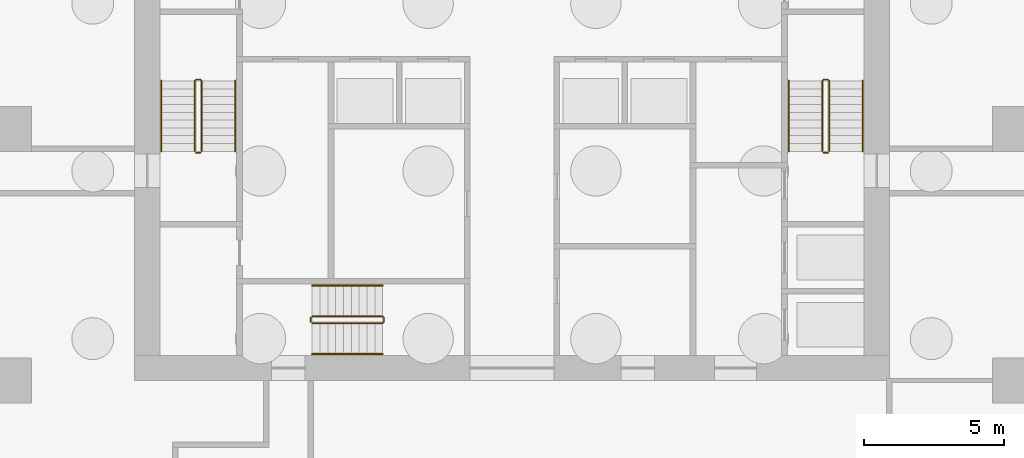
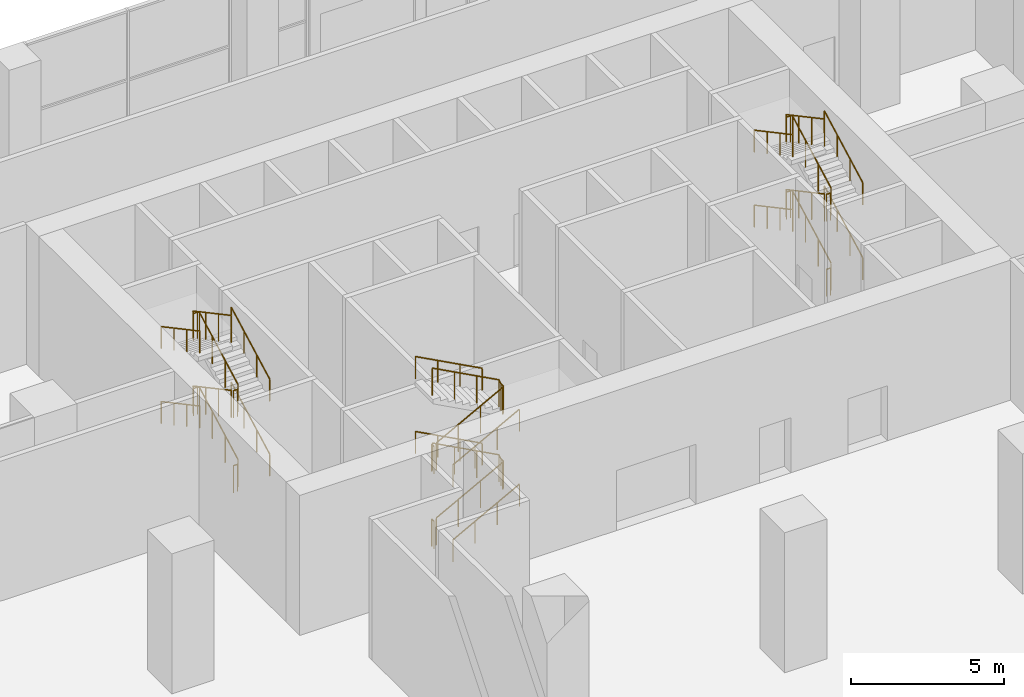
# One storey, part 19 of 20: 24 railings.
"""IFC4 building model written with IfcOpenShell, lengths in metres."""

from ifc_helpers import new_model, si_unit, direction, frame, origin, origin_2d, place, context, subcontext, project, spatial, circle, extrude, material, type_object, element, save


model = new_model("IFC4")

# Units and contexts
model_context = context("Model", 3, precision=1e-05, world=origin(), true_north=direction((0.0, 1.0)))
body_context = subcontext(model_context, "Body", "Model", "MODEL_VIEW")
ifc_project = project(units=[si_unit("LENGTHUNIT", "METRE"), si_unit("AREAUNIT", "SQUARE_METRE"), si_unit("VOLUMEUNIT", "CUBIC_METRE"), si_unit("PLANEANGLEUNIT", "RADIAN"), si_unit("MASSUNIT", "GRAM", prefix="KILO")], contexts=[model_context])

# Site, building, storey
site_placement = place(None, origin())
site = spatial("IfcSite", under=ifc_project, at=site_placement, CompositionType="ELEMENT")
building_placement = place(site_placement, origin())
building = spatial("IfcBuilding", under=site, at=building_placement, Name="Orbiselva Terraces", CompositionType="ELEMENT")
storey_placement = place(building_placement, origin())
storey = spatial("IfcBuildingStorey", under=building, at=storey_placement, Name="L00", CompositionType="ELEMENT", Elevation=0.0)

# Railings
ifc_material = material(Name="Stainless steel", Category="steel")
railing_type_1 = type_object("IfcRailingType", Name="CORE-GUARD-1100", PredefinedType="GUARDRAIL", material=ifc_material)
railing_1_placement = place(storey_placement, frame((-11.1, 12.7, 0.15)))
element("IfcRailing", 1, at=railing_1_placement, inside=storey, type_object=railing_type_1, Name="L00 S1 stair guard 1", PredefinedType="GUARDRAIL", context=body_context, shape_type="SweptSolid", body=[
    extrude(circle(Radius=0.024, at=origin_2d()), frame((0.0, 0.0, 1.081), z_axis=(0.0, 0.881479970029, 0.472221412515), x_axis=(-1.0, 0.0, 0.0)), (0.0, 0.0, 1.0), 2.858828),
    extrude(circle(Radius=0.024, at=origin_2d()), frame((0.0, 2.52, 2.431), z_axis=(-0.707106781187, 0.707106781187, 0.0), x_axis=(-0.707106781187, -0.707106781187, 0.0)), (0.0, 0.0, 1.0), 0.070711),
    extrude(circle(Radius=0.024, at=origin_2d()), frame((-0.05, 2.57, 2.431), z_axis=(-1.0, 0.0, 0.0), x_axis=(0.0, -1.0, 0.0)), (0.0, 0.0, 1.0), 0.15),
    extrude(circle(Radius=0.024, at=origin_2d()), frame((-0.2, 2.57, 2.431), z_axis=(-0.301511344578, -0.301511344578, 0.904534033733), x_axis=(0.707106781187, -0.707106781187, 0.0)), (0.0, 0.0, 1.0), 0.165831),
    extrude(circle(Radius=0.024, at=origin_2d()), frame((-0.25, 2.52, 2.581), z_axis=(0.0, -0.881479970029, 0.472221412515), x_axis=(1.0, 0.0, 0.0)), (0.0, 0.0, 1.0), 2.858828),
    extrude(circle(Radius=0.021, at=origin_2d()), origin(), (0.0, 0.0, 1.0), 1.057),
    extrude(circle(Radius=0.021, at=origin_2d()), frame((0.0, 0.84, 0.45)), (0.0, 0.0, 1.0), 1.057),
    extrude(circle(Radius=0.021, at=origin_2d()), frame((0.0, 1.68, 0.9)), (0.0, 0.0, 1.0), 1.057),
    extrude(circle(Radius=0.021, at=origin_2d()), frame((0.0, 2.52, 1.35)), (0.0, 0.0, 1.0), 1.057),
    extrude(circle(Radius=0.021, at=origin_2d()), frame((-0.05, 2.57, 1.35)), (0.0, 0.0, 1.0), 1.057),
    extrude(circle(Radius=0.021, at=origin_2d()), frame((-0.2, 2.57, 1.35)), (0.0, 0.0, 1.0), 1.057),
    extrude(circle(Radius=0.021, at=origin_2d()), frame((-0.25, 2.52, 1.5)), (0.0, 0.0, 1.0), 1.057),
    extrude(circle(Radius=0.021, at=origin_2d()), frame((-0.25, 1.68, 1.95)), (0.0, 0.0, 1.0), 1.057),
    extrude(circle(Radius=0.021, at=origin_2d()), frame((-0.25, 0.84, 2.4)), (0.0, 0.0, 1.0), 1.057),
    extrude(circle(Radius=0.021, at=origin_2d()), frame((-0.25, 0.0, 2.85)), (0.0, 0.0, 1.0), 1.057),
])
railing_2_placement = place(storey_placement, frame((-11.15, 12.65, 3.0)))
element("IfcRailing", 2, at=railing_2_placement, inside=storey, type_object=railing_type_1, Name="L00 S1 stair guard 2", PredefinedType="GUARDRAIL", context=body_context, shape_type="SweptSolid", body=[
    extrude(circle(Radius=0.024, at=origin_2d()), frame((0.0, 0.0, 1.081), z_axis=(-1.0, 0.0, 0.0), x_axis=(0.0, -1.0, 0.0)), (0.0, 0.0, 1.0), 0.15),
    extrude(circle(Radius=0.021, at=origin_2d()), origin(), (0.0, 0.0, 1.0), 1.057),
    extrude(circle(Radius=0.021, at=origin_2d()), frame((-0.15, 0.0, 0.0)), (0.0, 0.0, 1.0), 1.057),
])
railing_3_placement = place(storey_placement, frame((-11.1, 12.7, 3.15)))
element("IfcRailing", 3, at=railing_3_placement, inside=storey, type_object=railing_type_1, Name="L00 S1 stair guard 3", PredefinedType="GUARDRAIL", context=body_context, shape_type="SweptSolid", body=[
    extrude(circle(Radius=0.024, at=origin_2d()), frame((0.0, 0.0, 1.081), z_axis=(0.0, 0.881479970029, 0.472221412515), x_axis=(-1.0, 0.0, 0.0)), (0.0, 0.0, 1.0), 2.858828),
    extrude(circle(Radius=0.024, at=origin_2d()), frame((0.0, 2.52, 2.431), z_axis=(-0.707106781187, 0.707106781187, 0.0), x_axis=(-0.707106781187, -0.707106781187, 0.0)), (0.0, 0.0, 1.0), 0.070711),
    extrude(circle(Radius=0.024, at=origin_2d()), frame((-0.05, 2.57, 2.431), z_axis=(-1.0, 0.0, 0.0), x_axis=(0.0, -1.0, 0.0)), (0.0, 0.0, 1.0), 0.15),
    extrude(circle(Radius=0.024, at=origin_2d()), frame((-0.2, 2.57, 2.431), z_axis=(-0.301511344578, -0.301511344578, 0.904534033733), x_axis=(0.707106781187, -0.707106781187, 0.0)), (0.0, 0.0, 1.0), 0.165831),
    extrude(circle(Radius=0.024, at=origin_2d()), frame((-0.25, 2.52, 2.581), z_axis=(0.0, -0.881479970029, 0.472221412515), x_axis=(1.0, 0.0, 0.0)), (0.0, 0.0, 1.0), 2.858828),
    extrude(circle(Radius=0.021, at=origin_2d()), origin(), (0.0, 0.0, 1.0), 1.057),
    extrude(circle(Radius=0.021, at=origin_2d()), frame((0.0, 0.84, 0.45)), (0.0, 0.0, 1.0), 1.057),
    extrude(circle(Radius=0.021, at=origin_2d()), frame((0.0, 1.68, 0.9)), (0.0, 0.0, 1.0), 1.057),
    extrude(circle(Radius=0.021, at=origin_2d()), frame((0.0, 2.52, 1.35)), (0.0, 0.0, 1.0), 1.057),
    extrude(circle(Radius=0.021, at=origin_2d()), frame((-0.05, 2.57, 1.35)), (0.0, 0.0, 1.0), 1.057),
    extrude(circle(Radius=0.021, at=origin_2d()), frame((-0.2, 2.57, 1.35)), (0.0, 0.0, 1.0), 1.057),
    extrude(circle(Radius=0.021, at=origin_2d()), frame((-0.25, 2.52, 1.5)), (0.0, 0.0, 1.0), 1.057),
    extrude(circle(Radius=0.021, at=origin_2d()), frame((-0.25, 1.68, 1.95)), (0.0, 0.0, 1.0), 1.057),
    extrude(circle(Radius=0.021, at=origin_2d()), frame((-0.25, 0.84, 2.4)), (0.0, 0.0, 1.0), 1.057),
    extrude(circle(Radius=0.021, at=origin_2d()), frame((-0.25, 0.0, 2.85)), (0.0, 0.0, 1.0), 1.057),
])
railing_4_placement = place(storey_placement, frame((-11.15, 12.65, 0.0)))
element("IfcRailing", 4, at=railing_4_placement, inside=storey, type_object=railing_type_1, Name="L00 S1 stair guard 4", PredefinedType="GUARDRAIL", context=body_context, shape_type="SweptSolid", body=[
    extrude(circle(Radius=0.024, at=origin_2d()), frame((0.0, 0.0, 1.081), z_axis=(-1.0, 0.0, 0.0), x_axis=(0.0, -1.0, 0.0)), (0.0, 0.0, 1.0), 0.15),
    extrude(circle(Radius=0.021, at=origin_2d()), origin(), (0.0, 0.0, 1.0), 1.057),
    extrude(circle(Radius=0.021, at=origin_2d()), frame((-0.15, 0.0, 0.0)), (0.0, 0.0, 1.0), 1.057),
])
railing_5_placement = place(storey_placement, frame((11.35, 12.7, 0.15)))
element("IfcRailing", 5, at=railing_5_placement, inside=storey, type_object=railing_type_1, Name="L00 S2 stair guard 1", PredefinedType="GUARDRAIL", context=body_context, shape_type="SweptSolid", body=[
    extrude(circle(Radius=0.024, at=origin_2d()), frame((0.0, 0.0, 1.081), z_axis=(0.0, 0.881479970029, 0.472221412515), x_axis=(-1.0, 0.0, 0.0)), (0.0, 0.0, 1.0), 2.858828),
    extrude(circle(Radius=0.024, at=origin_2d()), frame((0.0, 2.52, 2.431), z_axis=(-0.707106781187, 0.707106781187, 0.0), x_axis=(-0.707106781187, -0.707106781187, 0.0)), (0.0, 0.0, 1.0), 0.070711),
    extrude(circle(Radius=0.024, at=origin_2d()), frame((-0.05, 2.57, 2.431), z_axis=(-1.0, 0.0, 0.0), x_axis=(0.0, -1.0, 0.0)), (0.0, 0.0, 1.0), 0.15),
    extrude(circle(Radius=0.024, at=origin_2d()), frame((-0.2, 2.57, 2.431), z_axis=(-0.301511344578, -0.301511344578, 0.904534033733), x_axis=(0.707106781187, -0.707106781187, 0.0)), (0.0, 0.0, 1.0), 0.165831),
    extrude(circle(Radius=0.024, at=origin_2d()), frame((-0.25, 2.52, 2.581), z_axis=(0.0, -0.881479970029, 0.472221412515), x_axis=(1.0, 0.0, 0.0)), (0.0, 0.0, 1.0), 2.858828),
    extrude(circle(Radius=0.021, at=origin_2d()), origin(), (0.0, 0.0, 1.0), 1.057),
    extrude(circle(Radius=0.021, at=origin_2d()), frame((0.0, 0.84, 0.45)), (0.0, 0.0, 1.0), 1.057),
    extrude(circle(Radius=0.021, at=origin_2d()), frame((0.0, 1.68, 0.9)), (0.0, 0.0, 1.0), 1.057),
    extrude(circle(Radius=0.021, at=origin_2d()), frame((0.0, 2.52, 1.35)), (0.0, 0.0, 1.0), 1.057),
    extrude(circle(Radius=0.021, at=origin_2d()), frame((-0.05, 2.57, 1.35)), (0.0, 0.0, 1.0), 1.057),
    extrude(circle(Radius=0.021, at=origin_2d()), frame((-0.2, 2.57, 1.35)), (0.0, 0.0, 1.0), 1.057),
    extrude(circle(Radius=0.021, at=origin_2d()), frame((-0.25, 2.52, 1.5)), (0.0, 0.0, 1.0), 1.057),
    extrude(circle(Radius=0.021, at=origin_2d()), frame((-0.25, 1.68, 1.95)), (0.0, 0.0, 1.0), 1.057),
    extrude(circle(Radius=0.021, at=origin_2d()), frame((-0.25, 0.84, 2.4)), (0.0, 0.0, 1.0), 1.057),
    extrude(circle(Radius=0.021, at=origin_2d()), frame((-0.25, 0.0, 2.85)), (0.0, 0.0, 1.0), 1.057),
])
railing_6_placement = place(storey_placement, frame((11.3, 12.65, 3.0)))
element("IfcRailing", 6, at=railing_6_placement, inside=storey, type_object=railing_type_1, Name="L00 S2 stair guard 2", PredefinedType="GUARDRAIL", context=body_context, shape_type="SweptSolid", body=[
    extrude(circle(Radius=0.024, at=origin_2d()), frame((0.0, 0.0, 1.081), z_axis=(-1.0, 0.0, 0.0), x_axis=(0.0, -1.0, 0.0)), (0.0, 0.0, 1.0), 0.15),
    extrude(circle(Radius=0.021, at=origin_2d()), origin(), (0.0, 0.0, 1.0), 1.057),
    extrude(circle(Radius=0.021, at=origin_2d()), frame((-0.15, 0.0, 0.0)), (0.0, 0.0, 1.0), 1.057),
])
railing_7_placement = place(storey_placement, frame((11.35, 12.7, 3.15)))
element("IfcRailing", 7, at=railing_7_placement, inside=storey, type_object=railing_type_1, Name="L00 S2 stair guard 3", PredefinedType="GUARDRAIL", context=body_context, shape_type="SweptSolid", body=[
    extrude(circle(Radius=0.024, at=origin_2d()), frame((0.0, 0.0, 1.081), z_axis=(0.0, 0.881479970029, 0.472221412515), x_axis=(-1.0, 0.0, 0.0)), (0.0, 0.0, 1.0), 2.858828),
    extrude(circle(Radius=0.024, at=origin_2d()), frame((0.0, 2.52, 2.431), z_axis=(-0.707106781187, 0.707106781187, 0.0), x_axis=(-0.707106781187, -0.707106781187, 0.0)), (0.0, 0.0, 1.0), 0.070711),
    extrude(circle(Radius=0.024, at=origin_2d()), frame((-0.05, 2.57, 2.431), z_axis=(-1.0, 0.0, 0.0), x_axis=(0.0, -1.0, 0.0)), (0.0, 0.0, 1.0), 0.15),
    extrude(circle(Radius=0.024, at=origin_2d()), frame((-0.2, 2.57, 2.431), z_axis=(-0.301511344578, -0.301511344578, 0.904534033733), x_axis=(0.707106781187, -0.707106781187, 0.0)), (0.0, 0.0, 1.0), 0.165831),
    extrude(circle(Radius=0.024, at=origin_2d()), frame((-0.25, 2.52, 2.581), z_axis=(0.0, -0.881479970029, 0.472221412515), x_axis=(1.0, 0.0, 0.0)), (0.0, 0.0, 1.0), 2.858828),
    extrude(circle(Radius=0.021, at=origin_2d()), origin(), (0.0, 0.0, 1.0), 1.057),
    extrude(circle(Radius=0.021, at=origin_2d()), frame((0.0, 0.84, 0.45)), (0.0, 0.0, 1.0), 1.057),
    extrude(circle(Radius=0.021, at=origin_2d()), frame((0.0, 1.68, 0.9)), (0.0, 0.0, 1.0), 1.057),
    extrude(circle(Radius=0.021, at=origin_2d()), frame((0.0, 2.52, 1.35)), (0.0, 0.0, 1.0), 1.057),
    extrude(circle(Radius=0.021, at=origin_2d()), frame((-0.05, 2.57, 1.35)), (0.0, 0.0, 1.0), 1.057),
    extrude(circle(Radius=0.021, at=origin_2d()), frame((-0.2, 2.57, 1.35)), (0.0, 0.0, 1.0), 1.057),
    extrude(circle(Radius=0.021, at=origin_2d()), frame((-0.25, 2.52, 1.5)), (0.0, 0.0, 1.0), 1.057),
    extrude(circle(Radius=0.021, at=origin_2d()), frame((-0.25, 1.68, 1.95)), (0.0, 0.0, 1.0), 1.057),
    extrude(circle(Radius=0.021, at=origin_2d()), frame((-0.25, 0.84, 2.4)), (0.0, 0.0, 1.0), 1.057),
    extrude(circle(Radius=0.021, at=origin_2d()), frame((-0.25, 0.0, 2.85)), (0.0, 0.0, 1.0), 1.057),
])
railing_8_placement = place(storey_placement, frame((11.3, 12.65, 0.0)))
element("IfcRailing", 8, at=railing_8_placement, inside=storey, type_object=railing_type_1, Name="L00 S2 stair guard 4", PredefinedType="GUARDRAIL", context=body_context, shape_type="SweptSolid", body=[
    extrude(circle(Radius=0.024, at=origin_2d()), frame((0.0, 0.0, 1.081), z_axis=(-1.0, 0.0, 0.0), x_axis=(0.0, -1.0, 0.0)), (0.0, 0.0, 1.0), 0.15),
    extrude(circle(Radius=0.021, at=origin_2d()), origin(), (0.0, 0.0, 1.0), 1.057),
    extrude(circle(Radius=0.021, at=origin_2d()), frame((-0.15, 0.0, 0.0)), (0.0, 0.0, 1.0), 1.057),
])
railing_9_placement = place(storey_placement, frame((-7.15, 6.55, 0.15)))
element("IfcRailing", 9, at=railing_9_placement, inside=storey, type_object=railing_type_1, Name="L00 S3 stair guard 1", PredefinedType="GUARDRAIL", context=body_context, shape_type="SweptSolid", body=[
    extrude(circle(Radius=0.024, at=origin_2d()), frame((0.0, 0.0, 1.081), z_axis=(0.881479970029, 0.0, 0.472221412515), x_axis=(0.0, 1.0, 0.0)), (0.0, 0.0, 1.0), 2.858828),
    extrude(circle(Radius=0.024, at=origin_2d()), frame((2.52, 0.0, 2.431), z_axis=(0.707106781187, 0.707106781187, 0.0), x_axis=(-0.707106781187, 0.707106781187, 0.0)), (0.0, 0.0, 1.0), 0.070711),
    extrude(circle(Radius=0.024, at=origin_2d()), frame((2.57, 0.05, 2.431), z_axis=(0.0, 1.0, 0.0), x_axis=(-1.0, 0.0, 0.0)), (0.0, 0.0, 1.0), 0.15),
    extrude(circle(Radius=0.024, at=origin_2d()), frame((2.57, 0.2, 2.431), z_axis=(-0.301511344578, 0.301511344578, 0.904534033733), x_axis=(-0.707106781187, -0.707106781187, 0.0)), (0.0, 0.0, 1.0), 0.165831),
    extrude(circle(Radius=0.024, at=origin_2d()), frame((2.52, 0.25, 2.581), z_axis=(-0.881479970029, 0.0, 0.472221412515), x_axis=(0.0, -1.0, 0.0)), (0.0, 0.0, 1.0), 2.858828),
    extrude(circle(Radius=0.021, at=origin_2d()), origin(), (0.0, 0.0, 1.0), 1.057),
    extrude(circle(Radius=0.021, at=origin_2d()), frame((0.84, 0.0, 0.45)), (0.0, 0.0, 1.0), 1.057),
    extrude(circle(Radius=0.021, at=origin_2d()), frame((1.68, 0.0, 0.9)), (0.0, 0.0, 1.0), 1.057),
    extrude(circle(Radius=0.021, at=origin_2d()), frame((2.52, 0.0, 1.35)), (0.0, 0.0, 1.0), 1.057),
    extrude(circle(Radius=0.021, at=origin_2d()), frame((2.57, 0.05, 1.35)), (0.0, 0.0, 1.0), 1.057),
    extrude(circle(Radius=0.021, at=origin_2d()), frame((2.57, 0.2, 1.35)), (0.0, 0.0, 1.0), 1.057),
    extrude(circle(Radius=0.021, at=origin_2d()), frame((2.52, 0.25, 1.5)), (0.0, 0.0, 1.0), 1.057),
    extrude(circle(Radius=0.021, at=origin_2d()), frame((1.68, 0.25, 1.95)), (0.0, 0.0, 1.0), 1.057),
    extrude(circle(Radius=0.021, at=origin_2d()), frame((0.84, 0.25, 2.4)), (0.0, 0.0, 1.0), 1.057),
    extrude(circle(Radius=0.021, at=origin_2d()), frame((0.0, 0.25, 2.85)), (0.0, 0.0, 1.0), 1.057),
])
railing_10_placement = place(storey_placement, frame((-7.2, 6.6, 3.0)))
element("IfcRailing", 10, at=railing_10_placement, inside=storey, type_object=railing_type_1, Name="L00 S3 stair guard 2", PredefinedType="GUARDRAIL", context=body_context, shape_type="SweptSolid", body=[
    extrude(circle(Radius=0.024, at=origin_2d()), frame((0.0, 0.0, 1.081), z_axis=(0.0, 1.0, 0.0), x_axis=(-1.0, 0.0, 0.0)), (0.0, 0.0, 1.0), 0.15),
    extrude(circle(Radius=0.021, at=origin_2d()), origin(), (0.0, 0.0, 1.0), 1.057),
    extrude(circle(Radius=0.021, at=origin_2d()), frame((0.0, 0.15, 0.0)), (0.0, 0.0, 1.0), 1.057),
])
railing_11_placement = place(storey_placement, frame((-7.15, 6.55, 3.15)))
element("IfcRailing", 11, at=railing_11_placement, inside=storey, type_object=railing_type_1, Name="L00 S3 stair guard 3", PredefinedType="GUARDRAIL", context=body_context, shape_type="SweptSolid", body=[
    extrude(circle(Radius=0.024, at=origin_2d()), frame((0.0, 0.0, 1.081), z_axis=(0.881479970029, 0.0, 0.472221412515), x_axis=(0.0, 1.0, 0.0)), (0.0, 0.0, 1.0), 2.858828),
    extrude(circle(Radius=0.024, at=origin_2d()), frame((2.52, 0.0, 2.431), z_axis=(0.707106781187, 0.707106781187, 0.0), x_axis=(-0.707106781187, 0.707106781187, 0.0)), (0.0, 0.0, 1.0), 0.070711),
    extrude(circle(Radius=0.024, at=origin_2d()), frame((2.57, 0.05, 2.431), z_axis=(0.0, 1.0, 0.0), x_axis=(-1.0, 0.0, 0.0)), (0.0, 0.0, 1.0), 0.15),
    extrude(circle(Radius=0.024, at=origin_2d()), frame((2.57, 0.2, 2.431), z_axis=(-0.301511344578, 0.301511344578, 0.904534033733), x_axis=(-0.707106781187, -0.707106781187, 0.0)), (0.0, 0.0, 1.0), 0.165831),
    extrude(circle(Radius=0.024, at=origin_2d()), frame((2.52, 0.25, 2.581), z_axis=(-0.881479970029, 0.0, 0.472221412515), x_axis=(0.0, -1.0, 0.0)), (0.0, 0.0, 1.0), 2.858828),
    extrude(circle(Radius=0.021, at=origin_2d()), origin(), (0.0, 0.0, 1.0), 1.057),
    extrude(circle(Radius=0.021, at=origin_2d()), frame((0.84, 0.0, 0.45)), (0.0, 0.0, 1.0), 1.057),
    extrude(circle(Radius=0.021, at=origin_2d()), frame((1.68, 0.0, 0.9)), (0.0, 0.0, 1.0), 1.057),
    extrude(circle(Radius=0.021, at=origin_2d()), frame((2.52, 0.0, 1.35)), (0.0, 0.0, 1.0), 1.057),
    extrude(circle(Radius=0.021, at=origin_2d()), frame((2.57, 0.05, 1.35)), (0.0, 0.0, 1.0), 1.057),
    extrude(circle(Radius=0.021, at=origin_2d()), frame((2.57, 0.2, 1.35)), (0.0, 0.0, 1.0), 1.057),
    extrude(circle(Radius=0.021, at=origin_2d()), frame((2.52, 0.25, 1.5)), (0.0, 0.0, 1.0), 1.057),
    extrude(circle(Radius=0.021, at=origin_2d()), frame((1.68, 0.25, 1.95)), (0.0, 0.0, 1.0), 1.057),
    extrude(circle(Radius=0.021, at=origin_2d()), frame((0.84, 0.25, 2.4)), (0.0, 0.0, 1.0), 1.057),
    extrude(circle(Radius=0.021, at=origin_2d()), frame((0.0, 0.25, 2.85)), (0.0, 0.0, 1.0), 1.057),
])
railing_12_placement = place(storey_placement, frame((-7.2, 6.6, 0.0)))
element("IfcRailing", 12, at=railing_12_placement, inside=storey, type_object=railing_type_1, Name="L00 S3 stair guard 4", PredefinedType="GUARDRAIL", context=body_context, shape_type="SweptSolid", body=[
    extrude(circle(Radius=0.024, at=origin_2d()), frame((0.0, 0.0, 1.081), z_axis=(0.0, 1.0, 0.0), x_axis=(-1.0, 0.0, 0.0)), (0.0, 0.0, 1.0), 0.15),
    extrude(circle(Radius=0.021, at=origin_2d()), origin(), (0.0, 0.0, 1.0), 1.057),
    extrude(circle(Radius=0.021, at=origin_2d()), frame((0.0, 0.15, 0.0)), (0.0, 0.0, 1.0), 1.057),
])
railing_type_2 = type_object("IfcRailingType", Name="CORE-HANDRAIL-900", PredefinedType="HANDRAIL", material=ifc_material)
railing_13_placement = place(storey_placement, frame((-9.9, 12.7, 0.15)))
element("IfcRailing", 13, at=railing_13_placement, inside=storey, type_object=railing_type_2, Name="L00 S1 stair handrail 1", PredefinedType="HANDRAIL", context=body_context, shape_type="SweptSolid", body=[
    extrude(circle(Radius=0.024, at=origin_2d()), frame((0.0, 0.0, 0.876), z_axis=(0.0, 0.881479970029, 0.472221412515), x_axis=(-1.0, 0.0, 0.0)), (0.0, 0.0, 1.0), 2.858828),
    extrude(circle(Radius=0.021, at=origin_2d()), origin(), (0.0, 0.0, 1.0), 0.852),
    extrude(circle(Radius=0.021, at=origin_2d()), frame((0.0, 0.84, 0.45)), (0.0, 0.0, 1.0), 0.852),
    extrude(circle(Radius=0.021, at=origin_2d()), frame((0.0, 1.68, 0.9)), (0.0, 0.0, 1.0), 0.852),
    extrude(circle(Radius=0.021, at=origin_2d()), frame((0.0, 2.52, 1.35)), (0.0, 0.0, 1.0), 0.852),
])
railing_14_placement = place(storey_placement, frame((-12.55, 15.22, 1.65)))
element("IfcRailing", 14, at=railing_14_placement, inside=storey, type_object=railing_type_2, Name="L00 S1 stair handrail 2", PredefinedType="HANDRAIL", context=body_context, shape_type="SweptSolid", body=[
    extrude(circle(Radius=0.024, at=origin_2d()), frame((0.0, 0.0, 0.876), z_axis=(0.0, -0.881479970029, 0.472221412515), x_axis=(1.0, 0.0, 0.0)), (0.0, 0.0, 1.0), 2.858828),
    extrude(circle(Radius=0.021, at=origin_2d()), origin(), (0.0, 0.0, 1.0), 0.852),
    extrude(circle(Radius=0.021, at=origin_2d()), frame((0.0, -0.84, 0.45)), (0.0, 0.0, 1.0), 0.852),
    extrude(circle(Radius=0.021, at=origin_2d()), frame((0.0, -1.68, 0.9)), (0.0, 0.0, 1.0), 0.852),
    extrude(circle(Radius=0.021, at=origin_2d()), frame((0.0, -2.52, 1.35)), (0.0, 0.0, 1.0), 0.852),
])
railing_15_placement = place(storey_placement, frame((-9.9, 12.7, 3.15)))
element("IfcRailing", 15, at=railing_15_placement, inside=storey, type_object=railing_type_2, Name="L00 S1 stair handrail 3", PredefinedType="HANDRAIL", context=body_context, shape_type="SweptSolid", body=[
    extrude(circle(Radius=0.024, at=origin_2d()), frame((0.0, 0.0, 0.876), z_axis=(0.0, 0.881479970029, 0.472221412515), x_axis=(-1.0, 0.0, 0.0)), (0.0, 0.0, 1.0), 2.858828),
    extrude(circle(Radius=0.021, at=origin_2d()), origin(), (0.0, 0.0, 1.0), 0.852),
    extrude(circle(Radius=0.021, at=origin_2d()), frame((0.0, 0.84, 0.45)), (0.0, 0.0, 1.0), 0.852),
    extrude(circle(Radius=0.021, at=origin_2d()), frame((0.0, 1.68, 0.9)), (0.0, 0.0, 1.0), 0.852),
    extrude(circle(Radius=0.021, at=origin_2d()), frame((0.0, 2.52, 1.35)), (0.0, 0.0, 1.0), 0.852),
])
railing_16_placement = place(storey_placement, frame((-12.55, 15.22, 4.65)))
element("IfcRailing", 16, at=railing_16_placement, inside=storey, type_object=railing_type_2, Name="L00 S1 stair handrail 4", PredefinedType="HANDRAIL", context=body_context, shape_type="SweptSolid", body=[
    extrude(circle(Radius=0.024, at=origin_2d()), frame((0.0, 0.0, 0.876), z_axis=(0.0, -0.881479970029, 0.472221412515), x_axis=(1.0, 0.0, 0.0)), (0.0, 0.0, 1.0), 2.858828),
    extrude(circle(Radius=0.021, at=origin_2d()), origin(), (0.0, 0.0, 1.0), 0.852),
    extrude(circle(Radius=0.021, at=origin_2d()), frame((0.0, -0.84, 0.45)), (0.0, 0.0, 1.0), 0.852),
    extrude(circle(Radius=0.021, at=origin_2d()), frame((0.0, -1.68, 0.9)), (0.0, 0.0, 1.0), 0.852),
    extrude(circle(Radius=0.021, at=origin_2d()), frame((0.0, -2.52, 1.35)), (0.0, 0.0, 1.0), 0.852),
])
railing_17_placement = place(storey_placement, frame((12.55, 12.7, 0.15)))
element("IfcRailing", 17, at=railing_17_placement, inside=storey, type_object=railing_type_2, Name="L00 S2 stair handrail 1", PredefinedType="HANDRAIL", context=body_context, shape_type="SweptSolid", body=[
    extrude(circle(Radius=0.024, at=origin_2d()), frame((0.0, 0.0, 0.876), z_axis=(0.0, 0.881479970029, 0.472221412515), x_axis=(-1.0, 0.0, 0.0)), (0.0, 0.0, 1.0), 2.858828),
    extrude(circle(Radius=0.021, at=origin_2d()), origin(), (0.0, 0.0, 1.0), 0.852),
    extrude(circle(Radius=0.021, at=origin_2d()), frame((0.0, 0.84, 0.45)), (0.0, 0.0, 1.0), 0.852),
    extrude(circle(Radius=0.021, at=origin_2d()), frame((0.0, 1.68, 0.9)), (0.0, 0.0, 1.0), 0.852),
    extrude(circle(Radius=0.021, at=origin_2d()), frame((0.0, 2.52, 1.35)), (0.0, 0.0, 1.0), 0.852),
])
railing_18_placement = place(storey_placement, frame((9.9, 15.22, 1.65)))
element("IfcRailing", 18, at=railing_18_placement, inside=storey, type_object=railing_type_2, Name="L00 S2 stair handrail 2", PredefinedType="HANDRAIL", context=body_context, shape_type="SweptSolid", body=[
    extrude(circle(Radius=0.024, at=origin_2d()), frame((0.0, 0.0, 0.876), z_axis=(0.0, -0.881479970029, 0.472221412515), x_axis=(1.0, 0.0, 0.0)), (0.0, 0.0, 1.0), 2.858828),
    extrude(circle(Radius=0.021, at=origin_2d()), origin(), (0.0, 0.0, 1.0), 0.852),
    extrude(circle(Radius=0.021, at=origin_2d()), frame((0.0, -0.84, 0.45)), (0.0, 0.0, 1.0), 0.852),
    extrude(circle(Radius=0.021, at=origin_2d()), frame((0.0, -1.68, 0.9)), (0.0, 0.0, 1.0), 0.852),
    extrude(circle(Radius=0.021, at=origin_2d()), frame((0.0, -2.52, 1.35)), (0.0, 0.0, 1.0), 0.852),
])
railing_19_placement = place(storey_placement, frame((12.55, 12.7, 3.15)))
element("IfcRailing", 19, at=railing_19_placement, inside=storey, type_object=railing_type_2, Name="L00 S2 stair handrail 3", PredefinedType="HANDRAIL", context=body_context, shape_type="SweptSolid", body=[
    extrude(circle(Radius=0.024, at=origin_2d()), frame((0.0, 0.0, 0.876), z_axis=(0.0, 0.881479970029, 0.472221412515), x_axis=(-1.0, 0.0, 0.0)), (0.0, 0.0, 1.0), 2.858828),
    extrude(circle(Radius=0.021, at=origin_2d()), origin(), (0.0, 0.0, 1.0), 0.852),
    extrude(circle(Radius=0.021, at=origin_2d()), frame((0.0, 0.84, 0.45)), (0.0, 0.0, 1.0), 0.852),
    extrude(circle(Radius=0.021, at=origin_2d()), frame((0.0, 1.68, 0.9)), (0.0, 0.0, 1.0), 0.852),
    extrude(circle(Radius=0.021, at=origin_2d()), frame((0.0, 2.52, 1.35)), (0.0, 0.0, 1.0), 0.852),
])
railing_20_placement = place(storey_placement, frame((9.9, 15.22, 4.65)))
element("IfcRailing", 20, at=railing_20_placement, inside=storey, type_object=railing_type_2, Name="L00 S2 stair handrail 4", PredefinedType="HANDRAIL", context=body_context, shape_type="SweptSolid", body=[
    extrude(circle(Radius=0.024, at=origin_2d()), frame((0.0, 0.0, 0.876), z_axis=(0.0, -0.881479970029, 0.472221412515), x_axis=(1.0, 0.0, 0.0)), (0.0, 0.0, 1.0), 2.858828),
    extrude(circle(Radius=0.021, at=origin_2d()), origin(), (0.0, 0.0, 1.0), 0.852),
    extrude(circle(Radius=0.021, at=origin_2d()), frame((0.0, -0.84, 0.45)), (0.0, 0.0, 1.0), 0.852),
    extrude(circle(Radius=0.021, at=origin_2d()), frame((0.0, -1.68, 0.9)), (0.0, 0.0, 1.0), 0.852),
    extrude(circle(Radius=0.021, at=origin_2d()), frame((0.0, -2.52, 1.35)), (0.0, 0.0, 1.0), 0.852),
])
railing_21_placement = place(storey_placement, frame((-7.15, 5.45, 0.15)))
element("IfcRailing", 21, at=railing_21_placement, inside=storey, type_object=railing_type_2, Name="L00 S3 stair handrail 1", PredefinedType="HANDRAIL", context=body_context, shape_type="SweptSolid", body=[
    extrude(circle(Radius=0.024, at=origin_2d()), frame((0.0, 0.0, 0.876), z_axis=(0.881479970029, 0.0, 0.472221412515), x_axis=(0.0, 1.0, 0.0)), (0.0, 0.0, 1.0), 2.858828),
    extrude(circle(Radius=0.021, at=origin_2d()), origin(), (0.0, 0.0, 1.0), 0.852),
    extrude(circle(Radius=0.021, at=origin_2d()), frame((0.84, 0.0, 0.45)), (0.0, 0.0, 1.0), 0.852),
    extrude(circle(Radius=0.021, at=origin_2d()), frame((1.68, 0.0, 0.9)), (0.0, 0.0, 1.0), 0.852),
    extrude(circle(Radius=0.021, at=origin_2d()), frame((2.52, 0.0, 1.35)), (0.0, 0.0, 1.0), 0.852),
])
railing_22_placement = place(storey_placement, frame((-4.63, 7.9, 1.65)))
element("IfcRailing", 22, at=railing_22_placement, inside=storey, type_object=railing_type_2, Name="L00 S3 stair handrail 2", PredefinedType="HANDRAIL", context=body_context, shape_type="SweptSolid", body=[
    extrude(circle(Radius=0.024, at=origin_2d()), frame((0.0, 0.0, 0.876), z_axis=(-0.881479970029, 0.0, 0.472221412515), x_axis=(0.0, -1.0, 0.0)), (0.0, 0.0, 1.0), 2.858828),
    extrude(circle(Radius=0.021, at=origin_2d()), origin(), (0.0, 0.0, 1.0), 0.852),
    extrude(circle(Radius=0.021, at=origin_2d()), frame((-0.84, 0.0, 0.45)), (0.0, 0.0, 1.0), 0.852),
    extrude(circle(Radius=0.021, at=origin_2d()), frame((-1.68, 0.0, 0.9)), (0.0, 0.0, 1.0), 0.852),
    extrude(circle(Radius=0.021, at=origin_2d()), frame((-2.52, 0.0, 1.35)), (0.0, 0.0, 1.0), 0.852),
])
railing_23_placement = place(storey_placement, frame((-7.15, 5.45, 3.15)))
element("IfcRailing", 23, at=railing_23_placement, inside=storey, type_object=railing_type_2, Name="L00 S3 stair handrail 3", PredefinedType="HANDRAIL", context=body_context, shape_type="SweptSolid", body=[
    extrude(circle(Radius=0.024, at=origin_2d()), frame((0.0, 0.0, 0.876), z_axis=(0.881479970029, 0.0, 0.472221412515), x_axis=(0.0, 1.0, 0.0)), (0.0, 0.0, 1.0), 2.858828),
    extrude(circle(Radius=0.021, at=origin_2d()), origin(), (0.0, 0.0, 1.0), 0.852),
    extrude(circle(Radius=0.021, at=origin_2d()), frame((0.84, 0.0, 0.45)), (0.0, 0.0, 1.0), 0.852),
    extrude(circle(Radius=0.021, at=origin_2d()), frame((1.68, 0.0, 0.9)), (0.0, 0.0, 1.0), 0.852),
    extrude(circle(Radius=0.021, at=origin_2d()), frame((2.52, 0.0, 1.35)), (0.0, 0.0, 1.0), 0.852),
])
railing_24_placement = place(storey_placement, frame((-4.63, 7.9, 4.65)))
element("IfcRailing", 24, at=railing_24_placement, inside=storey, type_object=railing_type_2, Name="L00 S3 stair handrail 4", PredefinedType="HANDRAIL", context=body_context, shape_type="SweptSolid", body=[
    extrude(circle(Radius=0.024, at=origin_2d()), frame((0.0, 0.0, 0.876), z_axis=(-0.881479970029, 0.0, 0.472221412515), x_axis=(0.0, -1.0, 0.0)), (0.0, 0.0, 1.0), 2.858828),
    extrude(circle(Radius=0.021, at=origin_2d()), origin(), (0.0, 0.0, 1.0), 0.852),
    extrude(circle(Radius=0.021, at=origin_2d()), frame((-0.84, 0.0, 0.45)), (0.0, 0.0, 1.0), 0.852),
    extrude(circle(Radius=0.021, at=origin_2d()), frame((-1.68, 0.0, 0.9)), (0.0, 0.0, 1.0), 0.852),
    extrude(circle(Radius=0.021, at=origin_2d()), frame((-2.52, 0.0, 1.35)), (0.0, 0.0, 1.0), 0.852),
])

save(model, "model.ifc")
